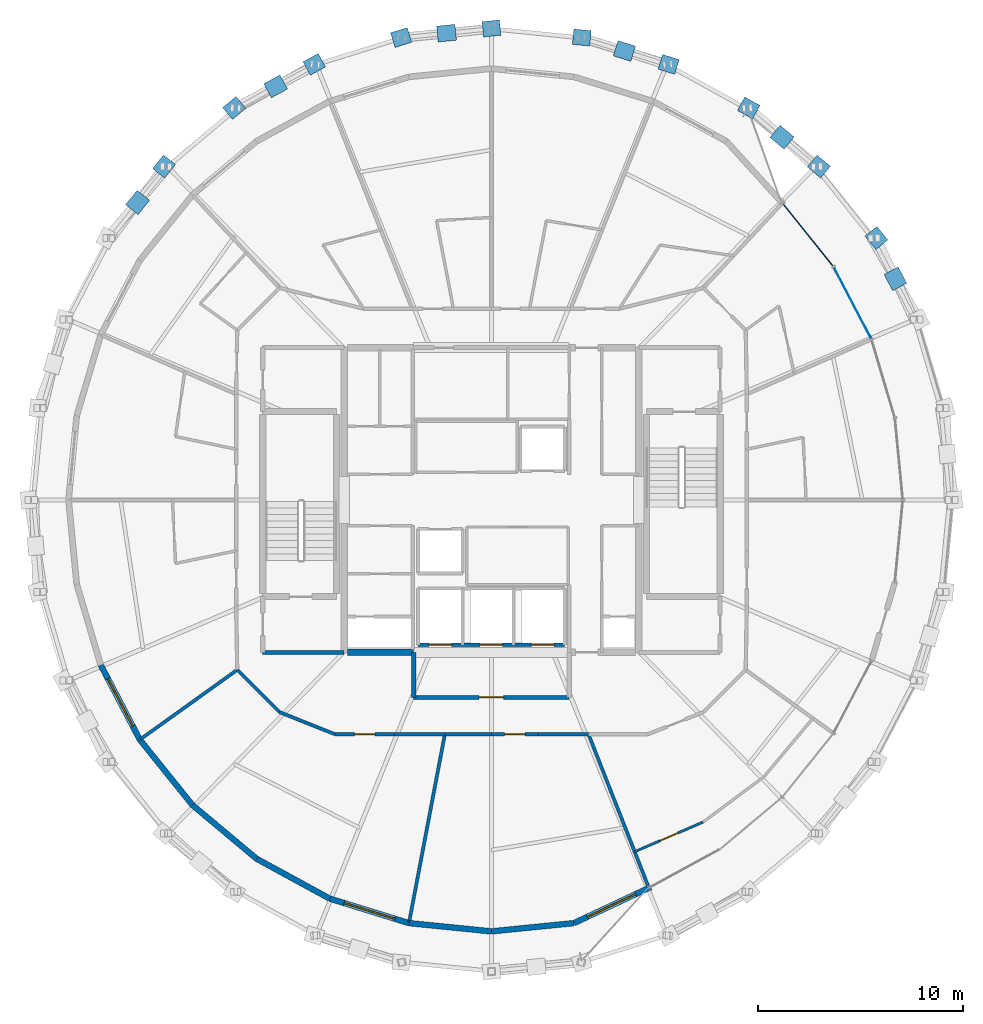
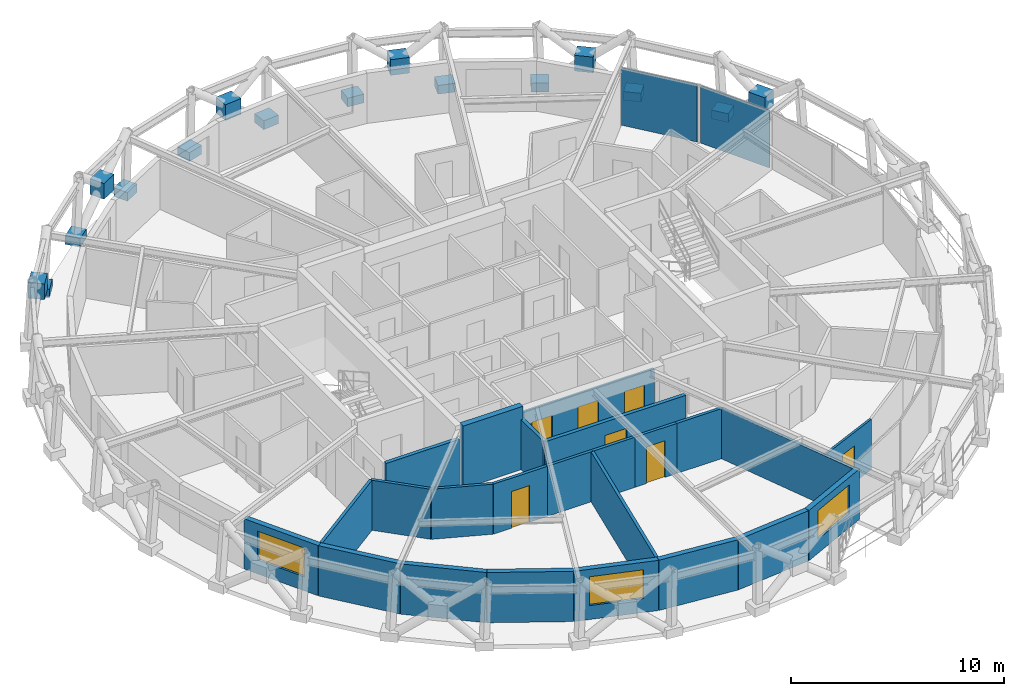
# One storey, part 10 of 15: 24 walls, 18 plates, 7 doors, 3 windows, 10 openings, 1 element without a shape of its own.
"""IFC4 building model written with IfcOpenShell, lengths in metres."""

from ifc_helpers import new_model, si_unit, direction, frame, frame_2d, origin, origin_2d, place, context, subcontext, project, spatial, rectangle, extrude, material, layer, layer_set, type_object, element, fill, aggregate, save


model = new_model("IFC4")

# Units and contexts
model_context = context("Model", 3, precision=1e-05, world=origin(), true_north=direction((0.0, 1.0)))
body_context = subcontext(model_context, "Body", "Model", "MODEL_VIEW")
ifc_project = project(units=[si_unit("LENGTHUNIT", "METRE"), si_unit("AREAUNIT", "SQUARE_METRE"), si_unit("VOLUMEUNIT", "CUBIC_METRE"), si_unit("PLANEANGLEUNIT", "RADIAN"), si_unit("MASSUNIT", "GRAM", prefix="KILO")], contexts=[model_context])

# Site, building, storey
site_placement = place(None, origin())
site = spatial("IfcSite", under=ifc_project, at=site_placement, CompositionType="ELEMENT")
building_placement = place(site_placement, origin())
building = spatial("IfcBuilding", under=site, at=building_placement, Name="Veldorina Hangang Commons", CompositionType="ELEMENT")
storey_placement = place(building_placement, frame((0.0, 0.0, 254.39990234375)))
storey = spatial("IfcBuildingStorey", under=building, at=storey_placement, Name="L66", CompositionType="ELEMENT", Elevation=254.39990234375)

# Curtain wall, plates
ifc_material_1 = material(Name="Glass Low-E Selective", Category="glass")
ifc_layer_1 = layer(ifc_material_1, 0.179931640625)
ifc_layer_set_1 = layer_set([ifc_layer_1], Name="Glass Low-E Selective")
curtain_wall_type = type_object("IfcCurtainWallType", Name="CW-SYS-Z3", PredefinedType="NOTDEFINED", material=ifc_layer_set_1)
curtain_wall_placement = place(storey_placement, origin())
curtain_wall = element("IfcCurtainWall", 1, at=curtain_wall_placement, inside=storey, type_object=curtain_wall_type, Name="L66 unitised curtain wall CW-L66-R2", PredefinedType="NOTDEFINED")
ifc_material_2 = material(Name="Glass Low-E Triple IGU", Category="glass")
ifc_layer_2 = layer(ifc_material_2, 0.0400390625)
ifc_layer_set_2 = layer_set([ifc_layer_2], Name="Glass Low-E Triple IGU")
plate_type_1 = type_object("IfcPlateType", Name="CW-PNL-VIS", PredefinedType="CURTAIN_PANEL", material=ifc_layer_set_2)
plate_1_placement = place(storey_placement, frame((49.649658203125, 33.629150390625, 0.01513671875), z_axis=(0.0, 0.0, 1.0), x_axis=(-0.463914608979, 0.885879921646, 0.0)))
plate_1 = element("IfcPlate", 2, at=plate_1_placement, type_object=plate_type_1, Name="CW-L66-R2 facet 4 glazed vision panel", PredefinedType="CURTAIN_PANEL", context=body_context, shape_type="SweptSolid", body=[
    extrude(rectangle(XDim=3.82568359375, YDim=0.0400390625, at=origin_2d()), origin(), (0.0, 0.0, 1.0), 3.2900390625),
])
plate_2_placement = place(storey_placement, frame((47.47021484375, 36.95849609375, 0.01513671875), z_axis=(0.0, 0.0, 1.0), x_axis=(-0.62663101501, 0.779316091857, 0.0)))
plate_2 = element("IfcPlate", 3, at=plate_2_placement, type_object=plate_type_1, Name="CW-L66-R2 facet 5 glazed vision panel", PredefinedType="CURTAIN_PANEL", context=body_context, shape_type="SweptSolid", body=[
    extrude(rectangle(XDim=3.81103515625, YDim=0.0400390625, at=origin_2d()), origin(), (0.0, 0.0, 1.0), 3.2900390625),
])
aggregate(curtain_wall, [plate_1, plate_2])

# Plates
ifc_material_3 = material(Name="Steel SM460-TMC", Category="steel")
ifc_layer_3 = layer(ifc_material_3, 0.035888671875)
ifc_layer_set_3 = layer_set([ifc_layer_3], Name="Steel SM460-TMC")
plate_type_2 = type_object("IfcPlateType", Name="PL-STAR-36", PredefinedType="USERDEFINED", material=ifc_layer_set_3)
plate_3_placement = place(storey_placement, frame((51.74462890625, 34.810791015625, 1.35302734375), z_axis=(0.0, 0.0, 1.0), x_axis=(-0.464733871018, 0.885450410316, 0.0)))
element("IfcPlate", 4, at=plate_3_placement, inside=storey, type_object=plate_type_2, Name="L66 diagrid X-crossing star-node gusset plate 02", ObjectType="GUSSET PLATE", PredefinedType="USERDEFINED", context=body_context, shape_type="SweptSolid", body=[
    extrude(rectangle(XDim=0.89990234375, YDim=0.780029296875, at=origin_2d()), origin(), (0.0, 0.0, 1.0), 0.89990234375),
])
for number, where, z_axis, x_axis, name in (
    (5, (50.81591796875, 36.803466796875, -0.08984375), (0.0, 0.0, 1.0), (-0.627487538828, 0.778626604102, 0.0), "L66 diagrid star-node gusset plate 03"),
    (6, (48.00146484375, 40.295654296875, -0.08984375), (0.0, 0.0, 1.0), (-0.767299479885, 0.641288942808, 0.0), "L66 diagrid star-node gusset plate 04"),
):
    element("IfcPlate", number, at=place(storey_placement, frame(where, z_axis=z_axis, x_axis=x_axis)), inside=storey, type_object=plate_type_2, Name=name, ObjectType="GUSSET PLATE", PredefinedType="USERDEFINED", context=body_context, shape_type="SweptSolid", body=[
        extrude(rectangle(XDim=0.85009765625, YDim=0.75, at=origin_2d()), origin(), (0.0, 0.0, 1.0), 0.5),
    ])
plate_4_placement = place(storey_placement, frame((46.203369140625, 41.72900390625, 1.35693359375), z_axis=(0.0, 0.0, 1.0), x_axis=(-0.767299479885, 0.641288942808, 0.0)))
element("IfcPlate", 7, at=plate_4_placement, inside=storey, type_object=plate_type_2, Name="L66 diagrid X-crossing star-node gusset plate 04", ObjectType="GUSSET PLATE", PredefinedType="USERDEFINED", context=body_context, shape_type="SweptSolid", body=[
    extrude(rectangle(XDim=0.89990234375, YDim=0.780029296875, at=origin_2d()), origin(), (0.0, 0.0, 1.0), 0.89990234375),
])
for number, where, z_axis, x_axis, name in (
    (8, (44.572265625, 43.16162109375, -0.08984375), (0.0, 0.0, 1.0), (-0.878300262769, 0.478109452342, 0.0), "L66 diagrid star-node gusset plate 05"),
    (9, (40.659912109375, 45.291259765625, -0.08984375), (0.0, 0.0, 1.0), (-0.955448519277, 0.295157800188, 0.0), "L66 diagrid star-node gusset plate 06"),
):
    element("IfcPlate", number, at=place(storey_placement, frame(where, z_axis=z_axis, x_axis=x_axis)), inside=storey, type_object=plate_type_2, Name=name, ObjectType="GUSSET PLATE", PredefinedType="USERDEFINED", context=body_context, shape_type="SweptSolid", body=[
        extrude(rectangle(XDim=0.85009765625, YDim=0.75, at=origin_2d()), origin(), (0.0, 0.0, 1.0), 0.5),
    ])
plate_5_placement = place(storey_placement, frame((38.498291015625, 45.944580078125, 1.3603515625), z_axis=(0.0, 0.0, 1.0), x_axis=(-0.955448519277, 0.295157800188, 0.0)))
element("IfcPlate", 10, at=plate_5_placement, inside=storey, type_object=plate_type_2, Name="L66 diagrid X-crossing star-node gusset plate 06", ObjectType="GUSSET PLATE", PredefinedType="USERDEFINED", context=body_context, shape_type="SweptSolid", body=[
    extrude(rectangle(XDim=0.89990234375, YDim=0.780029296875, at=origin_2d()), origin(), (0.0, 0.0, 1.0), 0.89990234375),
])
for number, where, z_axis, x_axis, name in (
    (11, (36.414794921875, 46.602783203125, -0.08984375), (0.0, 0.0, 1.0), (-0.995006914357, 0.099806013751, 0.0), "L66 diagrid star-node gusset plate 07"),
    (12, (32.0, 47.04541015625, -0.08984375), (0.0, 0.0, 1.0), (-0.995006914357, -0.099806013751, 0.0), "L66 diagrid star-node gusset plate 08"),
):
    element("IfcPlate", number, at=place(storey_placement, frame(where, z_axis=z_axis, x_axis=x_axis)), inside=storey, type_object=plate_type_2, Name=name, ObjectType="GUSSET PLATE", PredefinedType="USERDEFINED", context=body_context, shape_type="SweptSolid", body=[
        extrude(rectangle(XDim=0.85009765625, YDim=0.75, at=origin_2d()), origin(), (0.0, 0.0, 1.0), 0.5),
    ])
plate_6_placement = place(storey_placement, frame((29.806396484375, 46.816650390625, 1.361083984375), z_axis=(0.0, 0.0, 1.0), x_axis=(-0.995006914357, -0.099806013751, 0.0)))
element("IfcPlate", 13, at=plate_6_placement, inside=storey, type_object=plate_type_2, Name="L66 diagrid X-crossing star-node gusset plate 08", ObjectType="GUSSET PLATE", PredefinedType="USERDEFINED", context=body_context, shape_type="SweptSolid", body=[
    extrude(rectangle(XDim=0.89990234375, YDim=0.780029296875, at=origin_2d()), origin(), (0.0, 0.0, 1.0), 0.89990234375),
])
for number, where, z_axis, x_axis, name in (
    (14, (27.585205078125, 46.602783203125, -0.08984375), (0.0, 0.0, 1.0), (-0.955448519277, -0.295157800188, 0.0), "L66 diagrid star-node gusset plate 09"),
    (15, (23.340087890625, 45.291259765625, -0.08984375), (0.0, 0.0, 1.0), (-0.878300262769, -0.478109452342, 0.0), "L66 diagrid star-node gusset plate 10"),
):
    element("IfcPlate", number, at=place(storey_placement, frame(where, z_axis=z_axis, x_axis=x_axis)), inside=storey, type_object=plate_type_2, Name=name, ObjectType="GUSSET PLATE", PredefinedType="USERDEFINED", context=body_context, shape_type="SweptSolid", body=[
        extrude(rectangle(XDim=0.85009765625, YDim=0.75, at=origin_2d()), origin(), (0.0, 0.0, 1.0), 0.5),
    ])
plate_7_placement = place(storey_placement, frame((21.45166015625, 44.21630859375, 1.358642578125), z_axis=(0.0, 0.0, 1.0), x_axis=(-0.878300262769, -0.478109452342, 0.0)))
element("IfcPlate", 16, at=plate_7_placement, inside=storey, type_object=plate_type_2, Name="L66 diagrid X-crossing star-node gusset plate 10", ObjectType="GUSSET PLATE", PredefinedType="USERDEFINED", context=body_context, shape_type="SweptSolid", body=[
    extrude(rectangle(XDim=0.89990234375, YDim=0.780029296875, at=origin_2d()), origin(), (0.0, 0.0, 1.0), 0.89990234375),
])
for number, where, z_axis, x_axis, name in (
    (17, (19.427734375, 43.16162109375, -0.08984375), (0.0, 0.0, 1.0), (-0.767299479885, -0.641288942808, 0.0), "L66 diagrid star-node gusset plate 11"),
    (18, (15.99853515625, 40.295654296875, -0.08984375), (0.0, 0.0, 1.0), (-0.627487538828, -0.778626604102, 0.0), "L66 diagrid star-node gusset plate 12"),
):
    element("IfcPlate", number, at=place(storey_placement, frame(where, z_axis=z_axis, x_axis=x_axis)), inside=storey, type_object=plate_type_2, Name=name, ObjectType="GUSSET PLATE", PredefinedType="USERDEFINED", context=body_context, shape_type="SweptSolid", body=[
        extrude(rectangle(XDim=0.85009765625, YDim=0.75, at=origin_2d()), origin(), (0.0, 0.0, 1.0), 0.5),
    ])
plate_8_placement = place(storey_placement, frame((14.703125, 38.54150390625, 1.354736328125), z_axis=(0.0, 0.0, 1.0), x_axis=(-0.627487538828, -0.778626604102, 0.0)))
element("IfcPlate", 19, at=plate_8_placement, inside=storey, type_object=plate_type_2, Name="L66 diagrid X-crossing star-node gusset plate 12", ObjectType="GUSSET PLATE", PredefinedType="USERDEFINED", context=body_context, shape_type="SweptSolid", body=[
    extrude(rectangle(XDim=0.89990234375, YDim=0.780029296875, at=origin_2d()), origin(), (0.0, 0.0, 1.0), 0.89990234375),
])

# Wall
ifc_material_4 = material(Name="Concrete C50/60", Category="concrete")
ifc_layer_4 = layer(ifc_material_4, 0.320068359375)
ifc_layer_set_4 = layer_set([ifc_layer_4], Name="Concrete C50/60")
wall_type_1 = type_object("IfcWallType", Name="CW-RC320-C50", PredefinedType="SHEAR", material=ifc_layer_set_4)
wall_1_placement = place(storey_placement, frame((24.9599609375, 16.550048828125, 0.0), z_axis=(0.0, 0.0, 1.0), x_axis=(1.0, 0.0, 0.0)))
element("IfcWall", 20, at=wall_1_placement, inside=storey, type_object=wall_type_1, Name="L66 south-west core shear wall", PredefinedType="SHEAR", context=body_context, shape_type="SweptSolid", body=[
    extrude(rectangle(XDim=3.239990234375, YDim=0.320068359375, at=frame_2d((1.6201171875, 0.0))), origin(), (0.0, 0.0, 1.0), 3.60009765625),
])

# Wall, opening, window
ifc_material_5 = material(Name="Stone Roman Travertine", Category="masonry")
ifc_layer_5 = layer(ifc_material_5, 0.280029296875)
ifc_layer_set_5 = layer_set([ifc_layer_5], Name="Stone Roman Travertine")
wall_type_2 = type_object("IfcWallType", Name="EW-TRAV-280", PredefinedType="STANDARD", material=ifc_layer_set_5)
wall_2_placement = place(storey_placement, frame((12.90380859375, 15.930908203125, 0.0), z_axis=(0.0, 0.0, 1.0), x_axis=(0.46412225373, -0.88577115193, 0.0)))
wall_2 = element("IfcWall", 21, at=wall_2_placement, inside=storey, type_object=wall_type_2, Name="L66 travertine facade wall 18", PredefinedType="STANDARD", context=body_context, shape_type="SweptSolid", body=[
    extrude(rectangle(XDim=4.11572265625, YDim=0.280029296875, at=frame_2d((2.057861328125, 0.0))), origin(), (0.0, 0.0, 1.0), 2.880126953125),
])
opening_1_placement = place(wall_2_placement, frame((0.7578125, 0.0, 0.800048828125)))
opening_1 = element("IfcOpeningElement", 22, at=opening_1_placement, cuts=wall_2, Name="Opening W-02", PredefinedType="OPENING", context=body_context, shape_type="SweptSolid", body=[
    extrude(rectangle(XDim=2.60009765625, YDim=1.64990234375, at=frame_2d((1.300048828125, 0.824951171875))), frame((0.0, 0.14990234375, 0.0), z_axis=(0.0, -1.0, 0.0), x_axis=(1.0, 0.0, 0.0)), (0.0, 0.0, 1.0), 0.300048828125),
])
window_type = type_object("IfcWindowType", Name="WIN-TWR-2600", PartitioningType="SINGLE_PANEL", PredefinedType="WINDOW", material=ifc_material_2)
window_1_placement = place(opening_1_placement, origin())
window_1 = element("IfcWindow", 23, at=window_1_placement, inside=storey, type_object=window_type, Name="L66 facade window 18", OverallHeight=1.64990234375, OverallWidth=2.60009765625, PartitioningType="SINGLE_PANEL", PredefinedType="WINDOW", context=body_context, shape_type="SweptSolid", body=[
    extrude(rectangle(XDim=2.60009765625, YDim=1.64990234375, at=frame_2d((1.300048828125, 0.824951171875))), frame((0.0, 0.030029296875, 0.0), z_axis=(0.0, -1.0, 0.0), x_axis=(1.0, 0.0, 0.0)), (0.0, 0.0, 1.0), 0.06005859375),
])
fill(opening_1, window_1)

# Walls
wall_3_placement = place(storey_placement, frame((14.81396484375, 12.285400390625, 0.0), z_axis=(0.0, 0.0, 1.0), x_axis=(0.626849011523, -0.779140755418, 0.0)))
element("IfcWall", 24, at=wall_3_placement, inside=storey, type_object=wall_type_2, Name="L66 travertine facade wall 19", PredefinedType="STANDARD", context=body_context, shape_type="SweptSolid", body=[
    extrude(rectangle(XDim=4.100830078125, YDim=0.280029296875, at=frame_2d((2.05029296875, 0.0))), origin(), (0.0, 0.0, 1.0), 2.880126953125),
])
wall_4_placement = place(storey_placement, frame((17.384521484375, 9.09033203125, 0.0), z_axis=(0.0, 0.0, 1.0), x_axis=(0.766744674331, -0.64195218232, 0.0)))
element("IfcWall", 25, at=wall_4_placement, inside=storey, type_object=wall_type_2, Name="L66 travertine facade wall 20", PredefinedType="STANDARD", context=body_context, shape_type="SweptSolid", body=[
    extrude(rectangle(XDim=4.0849609375, YDim=0.280029296875, at=frame_2d((2.04248046875, 0.0))), origin(), (0.0, 0.0, 1.0), 2.880126953125),
])
wall_5_placement = place(storey_placement, frame((20.5166015625, 6.468017578125, 0.0), z_axis=(0.0, 0.0, 1.0), x_axis=(0.877966625542, -0.478721844534, 0.0)))
element("IfcWall", 26, at=wall_5_placement, inside=storey, type_object=wall_type_2, Name="L66 travertine facade wall 21", PredefinedType="STANDARD", context=body_context, shape_type="SweptSolid", body=[
    extrude(rectangle(XDim=4.070068359375, YDim=0.280029296875, at=frame_2d((2.03515625, 0.0))), origin(), (0.0, 0.0, 1.0), 2.880126953125),
])

# Wall, opening, window
wall_6_placement = place(storey_placement, frame((24.090087890625, 4.51953125, 0.0), z_axis=(0.0, 0.0, 1.0), x_axis=(0.955300452464, -0.295636678243, 0.0)))
wall_6 = element("IfcWall", 27, at=wall_6_placement, inside=storey, type_object=wall_type_2, Name="L66 travertine facade wall 22", PredefinedType="STANDARD", context=body_context, shape_type="SweptSolid", body=[
    extrude(rectangle(XDim=4.058837890625, YDim=0.280029296875, at=frame_2d((2.029296875, 0.0))), origin(), (0.0, 0.0, 1.0), 2.880126953125),
])
opening_2_placement = place(wall_6_placement, frame((0.7294921875, 0.0, 0.800048828125)))
opening_2 = element("IfcOpeningElement", 28, at=opening_2_placement, cuts=wall_6, Name="Opening W-02", PredefinedType="OPENING", context=body_context, shape_type="SweptSolid", body=[
    extrude(rectangle(XDim=2.60009765625, YDim=1.64990234375, at=frame_2d((1.300048828125, 0.824951171875))), frame((0.0, 0.14990234375, 0.0), z_axis=(0.0, -1.0, 0.0), x_axis=(1.0, 0.0, 0.0)), (0.0, 0.0, 1.0), 0.300048828125),
])
window_2_placement = place(opening_2_placement, origin())
window_2 = element("IfcWindow", 29, at=window_2_placement, inside=storey, type_object=window_type, Name="L66 facade window 22", OverallHeight=1.64990234375, OverallWidth=2.60009765625, PartitioningType="SINGLE_PANEL", PredefinedType="WINDOW", context=body_context, shape_type="SweptSolid", body=[
    extrude(rectangle(XDim=2.60009765625, YDim=1.64990234375, at=frame_2d((1.300048828125, 0.824951171875))), frame((0.0, 0.030029296875, 0.0), z_axis=(0.0, -1.0, 0.0), x_axis=(1.0, 0.0, 0.0)), (0.0, 0.0, 1.0), 0.06005859375),
])
fill(opening_2, window_2)

# Walls
for number, where, z_axis, x_axis, name in (
    (30, (27.967529296875, 3.319580078125, 0.0), (0.0, 0.0, 1.0), (0.994993554733, -0.099939111661, 0.0), "L66 travertine facade wall 23"),
    (31, (32.0, 2.91455078125, 0.0), (0.0, 0.0, 1.0), (0.994993554733, 0.099939111661, 0.0), "L66 travertine facade wall 24"),
):
    element("IfcWall", number, at=place(storey_placement, frame(where, z_axis=z_axis, x_axis=x_axis)), inside=storey, type_object=wall_type_2, Name=name, PredefinedType="STANDARD", context=body_context, shape_type="SweptSolid", body=[
        extrude(rectangle(XDim=4.052734375, YDim=0.280029296875, at=frame_2d((2.0263671875, 0.0))), origin(), (0.0, 0.0, 1.0), 2.880126953125),
    ])

# Wall, opening, window
wall_7_placement = place(storey_placement, frame((36.032470703125, 3.319580078125, 0.0), z_axis=(0.0, 0.0, 1.0), x_axis=(0.905435549798, 0.424483763131, 0.0)))
wall_7 = element("IfcWall", 32, at=wall_7_placement, inside=storey, type_object=wall_type_2, Name="L66 travertine facade wall 25", PredefinedType="STANDARD", context=body_context, shape_type="SweptSolid", body=[
    extrude(rectangle(XDim=4.1376953125, YDim=0.280029296875, at=frame_2d((2.06884765625, 0.0))), origin(), (0.0, 0.0, 1.0), 2.880126953125),
])
opening_3_placement = place(wall_7_placement, frame((0.722900390625, 0.0, 0.800048828125)))
opening_3 = element("IfcOpeningElement", 33, at=opening_3_placement, cuts=wall_7, Name="Opening W-02", PredefinedType="OPENING", context=body_context, shape_type="SweptSolid", body=[
    extrude(rectangle(XDim=2.60009765625, YDim=1.64990234375, at=frame_2d((1.300048828125, 0.824951171875))), frame((0.0, 0.14990234375, 0.0), z_axis=(0.0, -1.0, 0.0), x_axis=(1.0, 0.0, 0.0)), (0.0, 0.0, 1.0), 0.300048828125),
])
window_3_placement = place(opening_3_placement, origin())
window_3 = element("IfcWindow", 34, at=window_3_placement, inside=storey, type_object=window_type, Name="L66 facade window 25", OverallHeight=1.64990234375, OverallWidth=2.60009765625, PartitioningType="SINGLE_PANEL", PredefinedType="WINDOW", context=body_context, shape_type="SweptSolid", body=[
    extrude(rectangle(XDim=2.60009765625, YDim=1.64990234375, at=frame_2d((1.300048828125, 0.824951171875))), frame((0.0, 0.030029296875, 0.0), z_axis=(0.0, -1.0, 0.0), x_axis=(1.0, 0.0, 0.0)), (0.0, 0.0, 1.0), 0.06005859375),
])
fill(opening_3, window_3)

# Wall, openings, doors
ifc_material_6 = material(Name="Gypsum Fire-Rated Twin Stud Wall", Category="gypsum")
ifc_layer_6 = layer(ifc_material_6, 0.159912109375)
ifc_layer_set_6 = layer_set([ifc_layer_6], Name="Gypsum Fire-Rated Twin Stud Wall")
wall_type_3 = type_object("IfcWallType", Name="WL-FIRE-160", PredefinedType="SOLIDWALL", material=ifc_layer_set_6)
wall_8_placement = place(storey_placement, frame((28.419921875, 16.919921875, 0.0), z_axis=(0.0, 0.0, 1.0), x_axis=(1.0, 0.0, 0.0)))
wall_8 = element("IfcWall", 35, at=wall_8_placement, inside=storey, type_object=wall_type_3, Name="L66 Emergency front shaft wall 023", PredefinedType="SOLIDWALL", context=body_context, shape_type="SweptSolid", body=[
    extrude(rectangle(XDim=7.16015625, YDim=0.159912109375, at=frame_2d((3.580078125, 0.0))), origin(), (0.0, 0.0, 1.0), 2.8701171875),
])
opening_4_placement = place(wall_8_placement, frame((0.530029296875, 0.0, 0.0)))
opening_4 = element("IfcOpeningElement", 36, at=opening_4_placement, cuts=wall_8, Name="Opening LD-03", PredefinedType="OPENING", context=body_context, shape_type="SweptSolid", body=[
    extrude(rectangle(XDim=1.10009765625, YDim=2.14990234375, at=frame_2d((0.550048828125, 1.074951171875))), frame((0.0, 0.08984375, 0.0), z_axis=(0.0, -1.0, 0.0), x_axis=(1.0, 0.0, 0.0)), (0.0, 0.0, 1.0), 0.179931640625),
])
opening_5_placement = place(wall_8_placement, frame((3.030029296875, 0.0, 0.0)))
opening_5 = element("IfcOpeningElement", 37, at=opening_5_placement, cuts=wall_8, Name="Opening LD-03", PredefinedType="OPENING", context=body_context, shape_type="SweptSolid", body=[
    extrude(rectangle(XDim=1.10009765625, YDim=2.14990234375, at=frame_2d((0.550048828125, 1.074951171875))), frame((0.0, 0.08984375, 0.0), z_axis=(0.0, -1.0, 0.0), x_axis=(1.0, 0.0, 0.0)), (0.0, 0.0, 1.0), 0.179931640625),
])
opening_6_placement = place(wall_8_placement, frame((5.530029296875, 0.0, 0.0)))
opening_6 = element("IfcOpeningElement", 38, at=opening_6_placement, cuts=wall_8, Name="Opening LD-03", PredefinedType="OPENING", context=body_context, shape_type="SweptSolid", body=[
    extrude(rectangle(XDim=1.10009765625, YDim=2.14990234375, at=frame_2d((0.550048828125, 1.074951171875))), frame((0.0, 0.08984375, 0.0), z_axis=(0.0, -1.0, 0.0), x_axis=(1.0, 0.0, 0.0)), (0.0, 0.0, 1.0), 0.179931640625),
])
ifc_material_7 = material(Name="Stainless Steel Firefighting Lift Door", Category="steel")
door_type_1 = type_object("IfcDoorType", Name="DR-LIFT-FF1100", OperationType="SLIDING_TO_RIGHT", PredefinedType="DOOR", material=ifc_material_7)
door_1_placement = place(opening_4_placement, origin())
door_1 = element("IfcDoor", 39, at=door_1_placement, inside=storey, type_object=door_type_1, Name="L66 Emergency lift FFL-1 landing door 008", OperationType="SLIDING_TO_RIGHT", OverallHeight=2.14990234375, OverallWidth=1.10009765625, PredefinedType="DOOR", context=body_context, shape_type="SweptSolid", body=[
    extrude(rectangle(XDim=1.10009765625, YDim=2.14990234375, at=frame_2d((0.550048828125, 1.074951171875))), frame((0.0, 0.02490234375, 0.0), z_axis=(0.0, -1.0, 0.0), x_axis=(1.0, 0.0, 0.0)), (0.0, 0.0, 1.0), 0.050048828125),
])
fill(opening_4, door_1)
door_2_placement = place(opening_5_placement, origin())
door_2 = element("IfcDoor", 40, at=door_2_placement, inside=storey, type_object=door_type_1, Name="L66 Emergency lift FFL-2 landing door 009", OperationType="SLIDING_TO_RIGHT", OverallHeight=2.14990234375, OverallWidth=1.10009765625, PredefinedType="DOOR", context=body_context, shape_type="SweptSolid", body=[
    extrude(rectangle(XDim=1.10009765625, YDim=2.14990234375, at=frame_2d((0.550048828125, 1.074951171875))), frame((0.0, 0.02490234375, 0.0), z_axis=(0.0, -1.0, 0.0), x_axis=(1.0, 0.0, 0.0)), (0.0, 0.0, 1.0), 0.050048828125),
])
fill(opening_5, door_2)
door_3_placement = place(opening_6_placement, origin())
door_3 = element("IfcDoor", 41, at=door_3_placement, inside=storey, type_object=door_type_1, Name="L66 Emergency lift EVL-1 landing door 010", OperationType="SLIDING_TO_RIGHT", OverallHeight=2.14990234375, OverallWidth=1.10009765625, PredefinedType="DOOR", context=body_context, shape_type="SweptSolid", body=[
    extrude(rectangle(XDim=1.10009765625, YDim=2.14990234375, at=frame_2d((0.550048828125, 1.074951171875))), frame((0.0, 0.02490234375, 0.0), z_axis=(0.0, -1.0, 0.0), x_axis=(1.0, 0.0, 0.0)), (0.0, 0.0, 1.0), 0.050048828125),
])
fill(opening_6, door_3)

# Walls
wall_9_placement = place(storey_placement, frame((19.5732421875, 15.69677734375, 0.0), z_axis=(0.0, 0.0, 1.0), x_axis=(0.707106781187, -0.707106781187, 0.0)))
element("IfcWall", 42, at=wall_9_placement, inside=storey, type_object=wall_type_3, Name="L66 Compact collar outer wall 19 073", PredefinedType="SOLIDWALL", context=body_context, shape_type="SweptSolid", body=[
    extrude(rectangle(XDim=2.915771484375, YDim=0.159912109375, at=frame_2d((1.4580078125, 0.0))), origin(), (0.0, 0.0, 1.0), 2.8701171875),
])
wall_10_placement = place(storey_placement, frame((21.635009765625, 13.635009765625, 0.0), z_axis=(0.0, 0.0, 1.0), x_axis=(0.92856882165, -0.371160266542, 0.0)))
element("IfcWall", 43, at=wall_10_placement, inside=storey, type_object=wall_type_3, Name="L66 Compact collar outer wall 20 074", PredefinedType="SOLIDWALL", context=body_context, shape_type="SweptSolid", body=[
    extrude(rectangle(XDim=2.923095703125, YDim=0.159912109375, at=frame_2d((1.46142578125, 0.0))), origin(), (0.0, 0.0, 1.0), 2.8701171875),
])

# Wall, opening, door
wall_11_placement = place(storey_placement, frame((24.349365234375, 12.550048828125, 0.0), z_axis=(0.0, 0.0, 1.0), x_axis=(1.0, 0.0, 0.0)))
wall_11 = element("IfcWall", 44, at=wall_11_placement, inside=storey, type_object=wall_type_3, Name="L66 Compact collar outer wall 21 075", PredefinedType="SOLIDWALL", context=body_context, shape_type="SweptSolid", body=[
    extrude(rectangle(XDim=2.907958984375, YDim=0.159912109375, at=frame_2d((1.4541015625, 0.0))), origin(), (0.0, 0.0, 1.0), 2.8701171875),
])
opening_7_placement = place(wall_11_placement, frame((0.9541015625, 0.0, 0.0)))
opening_7 = element("IfcOpeningElement", 45, at=opening_7_placement, cuts=wall_11, Name="Opening D-05", PredefinedType="OPENING", context=body_context, shape_type="SweptSolid", body=[
    extrude(rectangle(XDim=1.0, YDim=2.10009765625, at=frame_2d((0.5, 1.050048828125))), frame((0.0, 0.08984375, 0.0), z_axis=(0.0, -1.0, 0.0), x_axis=(1.0, 0.0, 0.0)), (0.0, 0.0, 1.0), 0.179931640625),
])
ifc_material_8 = material(Name="Timber Solid Core Acoustic", Category="wood")
door_type_2 = type_object("IfcDoorType", Name="DR-INT-1000", OperationType="SINGLE_SWING_RIGHT", PredefinedType="DOOR", material=ifc_material_8)
door_4_placement = place(opening_7_placement, origin())
door_4 = element("IfcDoor", 46, at=door_4_placement, inside=storey, type_object=door_type_2, Name="L66 Floor Study Room 11 door 043", OperationType="SINGLE_SWING_LEFT", OverallHeight=2.10009765625, OverallWidth=1.0, PredefinedType="DOOR", context=body_context, shape_type="SweptSolid", body=[
    extrude(rectangle(XDim=1.0, YDim=2.10009765625, at=frame_2d((0.5, 1.050048828125))), frame((0.0, 0.02490234375, 0.0), z_axis=(0.0, -1.0, 0.0), x_axis=(1.0, 0.0, 0.0)), (0.0, 0.0, 1.0), 0.050048828125),
])
fill(opening_7, door_4)

# Walls
wall_12_placement = place(storey_placement, frame((27.25732421875, 12.550048828125, 0.0), z_axis=(0.0, 0.0, 1.0), x_axis=(1.0, 0.0, 0.0)))
element("IfcWall", 47, at=wall_12_placement, inside=storey, type_object=wall_type_3, Name="L66 Compact collar outer wall 22 076", PredefinedType="SOLIDWALL", context=body_context, shape_type="SweptSolid", body=[
    extrude(rectangle(XDim=2.465087890625, YDim=0.159912109375, at=frame_2d((1.232421875, 0.0))), origin(), (0.0, 0.0, 1.0), 2.8701171875),
])
wall_13_placement = place(storey_placement, frame((29.722412109375, 12.550048828125, 0.0), z_axis=(0.0, 0.0, 1.0), x_axis=(1.0, 0.0, 0.0)))
element("IfcWall", 48, at=wall_13_placement, inside=storey, type_object=wall_type_3, Name="L66 Compact collar outer wall 23 077", PredefinedType="SOLIDWALL", context=body_context, shape_type="SweptSolid", body=[
    extrude(rectangle(XDim=2.277587890625, YDim=0.159912109375, at=frame_2d((1.138671875, 0.0))), origin(), (0.0, 0.0, 1.0), 2.8701171875),
])

# Wall, opening, door
wall_14_placement = place(storey_placement, frame((32.0, 12.550048828125, 0.0), z_axis=(0.0, 0.0, 1.0), x_axis=(1.0, 0.0, 0.0)))
wall_14 = element("IfcWall", 49, at=wall_14_placement, inside=storey, type_object=wall_type_3, Name="L66 Compact collar outer wall 24 078", PredefinedType="SOLIDWALL", context=body_context, shape_type="SweptSolid", body=[
    extrude(rectangle(XDim=2.277587890625, YDim=0.159912109375, at=frame_2d((1.138671875, 0.0))), origin(), (0.0, 0.0, 1.0), 2.8701171875),
])
opening_8_placement = place(wall_14_placement, frame((0.638671875, 0.0, 0.0)))
opening_8 = element("IfcOpeningElement", 50, at=opening_8_placement, cuts=wall_14, Name="Opening D-05", PredefinedType="OPENING", context=body_context, shape_type="SweptSolid", body=[
    extrude(rectangle(XDim=1.0, YDim=2.10009765625, at=frame_2d((0.5, 1.050048828125))), frame((0.0, 0.08984375, 0.0), z_axis=(0.0, -1.0, 0.0), x_axis=(1.0, 0.0, 0.0)), (0.0, 0.0, 1.0), 0.179931640625),
])
door_5_placement = place(opening_8_placement, origin())
door_5 = element("IfcDoor", 51, at=door_5_placement, inside=storey, type_object=door_type_2, Name="L66 Seminar Focus Room 12 door 044", OperationType="SINGLE_SWING_RIGHT", OverallHeight=2.10009765625, OverallWidth=1.0, PredefinedType="DOOR", context=body_context, shape_type="SweptSolid", body=[
    extrude(rectangle(XDim=1.0, YDim=2.10009765625, at=frame_2d((0.5, 1.050048828125))), frame((0.0, 0.02490234375, 0.0), z_axis=(0.0, -1.0, 0.0), x_axis=(1.0, 0.0, 0.0)), (0.0, 0.0, 1.0), 0.050048828125),
])
fill(opening_8, door_5)

# Walls
wall_15_placement = place(storey_placement, frame((34.277587890625, 12.550048828125, 0.0), z_axis=(0.0, 0.0, 1.0), x_axis=(1.0, 0.0, 0.0)))
element("IfcWall", 52, at=wall_15_placement, inside=storey, type_object=wall_type_3, Name="L66 Compact collar outer wall 25 079", PredefinedType="SOLIDWALL", context=body_context, shape_type="SweptSolid", body=[
    extrude(rectangle(XDim=2.465087890625, YDim=0.159912109375, at=frame_2d((1.232421875, 0.0))), origin(), (0.0, 0.0, 1.0), 2.8701171875),
])
wall_16_placement = place(storey_placement, frame((19.5732421875, 15.69677734375, 0.0), z_axis=(0.0, 0.0, 1.0), x_axis=(-0.81279190608, -0.582554132602, 0.0)))
element("IfcWall", 53, at=wall_16_placement, inside=storey, type_object=wall_type_3, Name="L66 Unit party wall 19 114", PredefinedType="SOLIDWALL", context=body_context, shape_type="SweptSolid", body=[
    extrude(rectangle(XDim=5.8056640625, YDim=0.159912109375, at=frame_2d((2.90283203125, 0.0))), origin(), (0.0, 0.0, 1.0), 2.8701171875),
])
wall_17_placement = place(storey_placement, frame((29.722412109375, 12.550048828125, 0.0), z_axis=(0.0, 0.0, 1.0), x_axis=(-0.186783181111, -0.982401162079, 0.0)))
element("IfcWall", 54, at=wall_17_placement, inside=storey, type_object=wall_type_3, Name="L66 Unit party wall 23 115", PredefinedType="SOLIDWALL", context=body_context, shape_type="SweptSolid", body=[
    extrude(rectangle(XDim=9.345703125, YDim=0.159912109375, at=frame_2d((4.6728515625, 0.0))), origin(), (0.0, 0.0, 1.0), 2.8701171875),
])
wall_18_placement = place(storey_placement, frame((36.74267578125, 12.550048828125, 0.0), z_axis=(0.0, 0.0, 1.0), x_axis=(0.365790774428, -0.930697109345, 0.0)))
element("IfcWall", 55, at=wall_18_placement, inside=storey, type_object=wall_type_3, Name="L66 Unit party wall 26 116", PredefinedType="SOLIDWALL", context=body_context, shape_type="SweptSolid", body=[
    extrude(rectangle(XDim=8.0224609375, YDim=0.159912109375, at=frame_2d((4.01123046875, 0.0))), origin(), (0.0, 0.0, 1.0), 2.8701171875),
])
ifc_material_9 = material(Name="Concrete Blockwork Fire Wall C30/37", Category="masonry")
ifc_layer_7 = layer(ifc_material_9, 0.199951171875)
ifc_layer_set_7 = layer_set([ifc_layer_7], Name="Concrete Blockwork Fire Wall C30/37")
wall_type_4 = type_object("IfcWallType", Name="WL-FIRE-200", PredefinedType="SOLIDWALL", material=ifc_layer_set_7)
wall_19_placement = place(storey_placement, frame((20.820068359375, 16.550048828125, 0.0), z_axis=(0.0, 0.0, 1.0), x_axis=(1.0, 0.0, 0.0)))
element("IfcWall", 56, at=wall_19_placement, inside=storey, type_object=wall_type_4, Name="L66 West vestibule south wall 002", PredefinedType="SOLIDWALL", context=body_context, shape_type="SweptSolid", body=[
    extrude(rectangle(XDim=3.97998046875, YDim=0.199951171875, at=frame_2d((1.989990234375, 0.0))), origin(), (0.0, 0.0, 1.0), 2.8701171875),
])
wall_20_placement = place(storey_placement, frame((28.199951171875, 14.35009765625, 0.0), z_axis=(0.0, 0.0, 1.0), x_axis=(0.0, 1.0, 0.0)))
element("IfcWall", 57, at=wall_20_placement, inside=storey, type_object=wall_type_4, Name="L66 FF lobby west wall 012", PredefinedType="SOLIDWALL", context=body_context, shape_type="SweptSolid", body=[
    extrude(rectangle(XDim=2.199951171875, YDim=0.199951171875, at=frame_2d((1.10009765625, 0.0))), origin(), (0.0, 0.0, 1.0), 2.8701171875),
])

# Wall, opening, door
wall_21_placement = place(storey_placement, frame((28.199951171875, 14.35009765625, 0.0), z_axis=(0.0, 0.0, 1.0), x_axis=(1.0, 0.0, 0.0)))
wall_21 = element("IfcWall", 58, at=wall_21_placement, inside=storey, type_object=wall_type_4, Name="L66 FF lobby south wall 014", PredefinedType="SOLIDWALL", context=body_context, shape_type="SweptSolid", body=[
    extrude(rectangle(XDim=7.60009765625, YDim=0.199951171875, at=frame_2d((3.800048828125, 0.0))), origin(), (0.0, 0.0, 1.0), 2.8701171875),
])
opening_9_placement = place(wall_21_placement, frame((3.199951171875, 0.0, 0.0)))
opening_9 = element("IfcOpeningElement", 59, at=opening_9_placement, cuts=wall_21, Name="Opening D-09", PredefinedType="OPENING", context=body_context, shape_type="SweptSolid", body=[
    extrude(rectangle(XDim=1.199951171875, YDim=2.10009765625, at=frame_2d((0.60009765625, 1.050048828125))), frame((0.0, 0.10986328125, 0.0), z_axis=(0.0, -1.0, 0.0), x_axis=(1.0, 0.0, 0.0)), (0.0, 0.0, 1.0), 0.219970703125),
])
ifc_material_10 = material(Name="Steel Fire-Rated Corridor Door", Category="steel")
door_type_3 = type_object("IfcDoorType", Name="DR-FIRE-1200", OperationType="SINGLE_SWING_LEFT", PredefinedType="DOOR", material=ifc_material_10)
door_6_placement = place(opening_9_placement, origin())
door_6 = element("IfcDoor", 60, at=door_6_placement, inside=storey, type_object=door_type_3, Name="L66 FF lobby south corridor door 005", OperationType="SINGLE_SWING_LEFT", OverallHeight=2.10009765625, OverallWidth=1.199951171875, PredefinedType="DOOR", context=body_context, shape_type="SweptSolid", body=[
    extrude(rectangle(XDim=1.199951171875, YDim=2.10009765625, at=frame_2d((0.60009765625, 1.050048828125))), frame((0.0, 0.02490234375, 0.0), z_axis=(0.0, -1.0, 0.0), x_axis=(1.0, 0.0, 0.0)), (0.0, 0.0, 1.0), 0.050048828125),
])
fill(opening_9, door_6)

ifc_material_11 = material(Name="Gypsum Acoustic Stud Partition", Category="gypsum")
ifc_layer_8 = layer(ifc_material_11, 0.1201171875)
ifc_layer_set_8 = layer_set([ifc_layer_8], Name="Gypsum Acoustic Stud Partition")
wall_type_5 = type_object("IfcWallType", Name="WL-PART-120", PredefinedType="PARTITIONING", material=ifc_layer_set_8)
wall_22_placement = place(storey_placement, frame((38.999267578125, 6.80859375, 0.0), z_axis=(0.0, 0.0, 1.0), x_axis=(0.917427639105, 0.397902660215, 0.0)))
wall_22 = element("IfcWall", 61, at=wall_22_placement, inside=storey, type_object=wall_type_5, Name="L66 Laundry split 0 117", PredefinedType="PARTITIONING", context=body_context, shape_type="SweptSolid", body=[
    extrude(rectangle(XDim=3.643310546875, YDim=0.1201171875, at=frame_2d((1.82177734375, 0.0))), origin(), (0.0, 0.0, 1.0), 2.8701171875),
])
opening_10_placement = place(wall_22_placement, frame((1.3466796875, 0.0, 0.0)))
opening_10 = element("IfcOpeningElement", 62, at=opening_10_placement, cuts=wall_22, Name="Opening D-02", PredefinedType="OPENING", context=body_context, shape_type="SweptSolid", body=[
    extrude(rectangle(XDim=0.949951171875, YDim=2.10009765625, at=frame_2d((0.47509765625, 1.050048828125))), frame((0.0, 0.070068359375, 0.0), z_axis=(0.0, -1.0, 0.0), x_axis=(1.0, 0.0, 0.0)), (0.0, 0.0, 1.0), 0.14013671875),
])
door_type_4 = type_object("IfcDoorType", Name="DR-INT-950", OperationType="SINGLE_SWING_LEFT", PredefinedType="DOOR", material=ifc_material_8)
door_7_placement = place(opening_10_placement, origin())
door_7 = element("IfcDoor", 63, at=door_7_placement, inside=storey, type_object=door_type_4, Name="L66 Resident laundry inner door 046", OperationType="SINGLE_SWING_RIGHT", OverallHeight=2.10009765625, OverallWidth=0.949951171875, PredefinedType="DOOR", context=body_context, shape_type="SweptSolid", body=[
    extrude(rectangle(XDim=0.949951171875, YDim=2.10009765625, at=frame_2d((0.47509765625, 1.050048828125))), frame((0.0, 0.02490234375, 0.0), z_axis=(0.0, -1.0, 0.0), x_axis=(1.0, 0.0, 0.0)), (0.0, 0.0, 1.0), 0.050048828125),
])
fill(opening_10, door_7)

save(model, "model.ifc")
